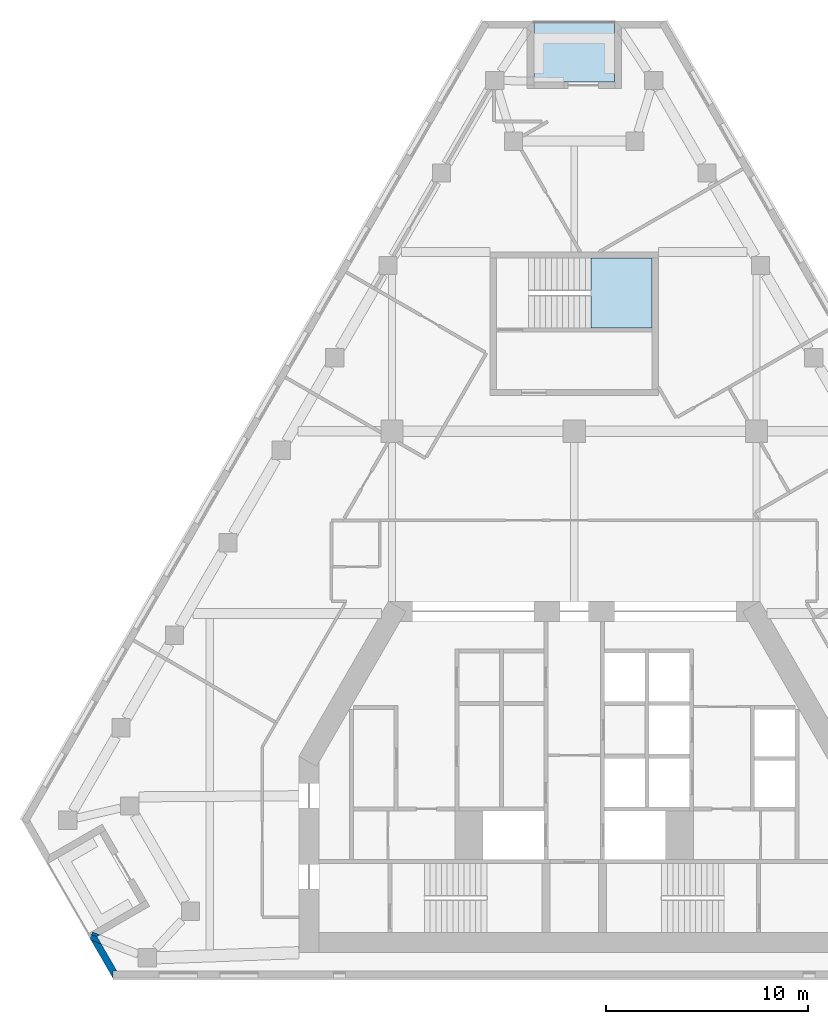
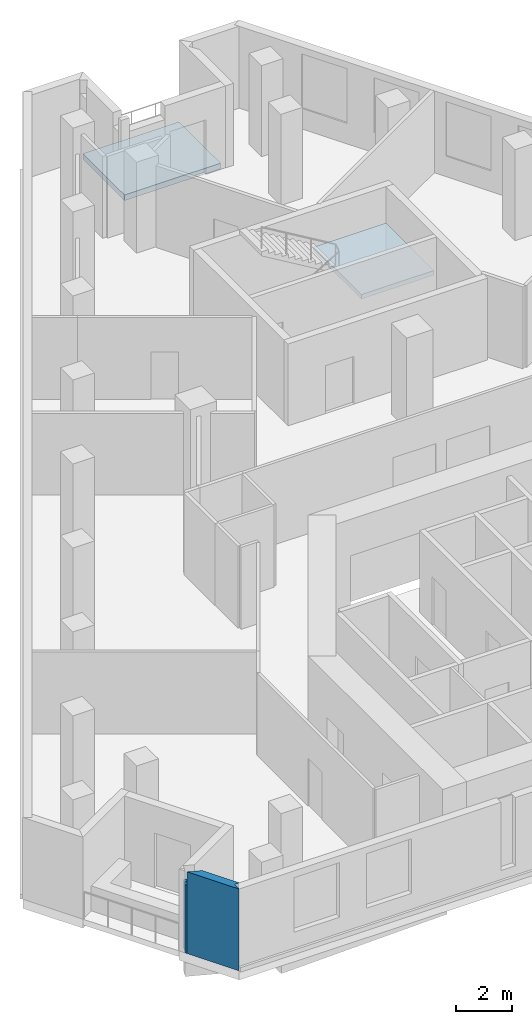
# One storey, part 2 of 9: 3 walls, 2 slabs, 1 element without a shape of its own.
"""IFC4 building model written with IfcOpenShell, lengths in metres."""

from ifc_helpers import new_model, si_unit, direction, frame, origin, place, context, subcontext, project, spatial, polyline, outline, extrude, material, layer, layer_set, type_object, element, aggregate, save


model = new_model("IFC4")

# Units and contexts
model_context = context("Model", 3, precision=1e-05, world=origin(), true_north=direction((0.0, 1.0)))
body_context = subcontext(model_context, "Body", "Model", "MODEL_VIEW")
ifc_project = project(units=[si_unit("LENGTHUNIT", "METRE"), si_unit("AREAUNIT", "SQUARE_METRE"), si_unit("VOLUMEUNIT", "CUBIC_METRE"), si_unit("PLANEANGLEUNIT", "RADIAN"), si_unit("MASSUNIT", "GRAM", prefix="KILO")], contexts=[model_context])

# Site, building, storey
site_placement = place(None, origin())
site = spatial("IfcSite", under=ifc_project, at=site_placement, CompositionType="ELEMENT")
building_placement = place(site_placement, origin())
building = spatial("IfcBuilding", under=site, at=building_placement, Name="Fogline Exchange Tower", CompositionType="ELEMENT")
storey_placement = place(building_placement, frame((0.0, 0.0, 206.10009765625)))
storey = spatial("IfcBuildingStorey", under=building, at=storey_placement, Name="L46", CompositionType="ELEMENT", Elevation=206.10009765625)

# Slab
ifc_material_1 = material(Name="Concrete C40", Category="concrete")
ifc_layer_1 = layer(ifc_material_1, 0.25)
ifc_layer_set_1 = layer_set([ifc_layer_1], Name="DK1")
slab_type_1 = type_object("IfcSlabType", Name="DK1", PredefinedType="FLOOR", material=ifc_layer_set_1)
slab_1_placement = place(storey_placement, frame((0.0, 0.0, -0.25)))
element("IfcSlab", 1, at=slab_1_placement, inside=storey, type_object=slab_type_1, Name="Balcony L46 N", PredefinedType="FLOOR", context=body_context, shape_type="SweptSolid", body=[
    extrude(outline(polyline([(2.0, 47.26171875), (-2.0, 47.26171875), (-2.0, 44.26171875), (2.0, 44.26171875), (2.0, 47.26171875)])), origin(), (0.0, 0.0, 1.0), 0.25),
])

# Stair, slab
stair_type = type_object("IfcStairType", Name="STR24-1667", PredefinedType="HALF_TURN_STAIR", material=ifc_material_1)
stair_placement = place(storey_placement, origin())
stair = element("IfcStair", 2, at=stair_placement, inside=storey, type_object=stair_type, Name="Stair ST3", PredefinedType="HALF_TURN_STAIR")
ifc_layer_2 = layer(ifc_material_1, 0.199951171875)
ifc_layer_set_2 = layer_set([ifc_layer_2], Name="SL200")
slab_type_2 = type_object("IfcSlabType", Name="SL200", PredefinedType="LANDING", material=ifc_layer_set_2)
slab_2_placement = place(storey_placement, frame((0.0, 0.0, 1.7998046875)))
slab_2 = element("IfcSlab", 3, at=slab_2_placement, type_object=slab_type_2, Name="ST3 landing 1", PredefinedType="LANDING", context=body_context, shape_type="SweptSolid", body=[
    extrude(outline(polyline([(0.830078125, 32.10693359375), (3.85009765625, 32.10693359375), (3.85009765625, 35.556884765625), (0.830078125, 35.556884765625), (0.830078125, 32.10693359375)])), origin(), (0.0, 0.0, 1.0), 0.2001953125),
])
aggregate(stair, [slab_2])

# Walls
ifc_material_2 = material(Name="Brick masonry", Category="masonry")
ifc_layer_3 = layer(ifc_material_2, 0.340087890625)
ifc_layer_set_3 = layer_set([ifc_layer_3], Name="FW1")
wall_type = type_object("IfcWallType", Name="FW1", PredefinedType="SOLIDWALL", material=ifc_layer_set_3)
wall_1_placement = place(storey_placement, origin())
element("IfcWall", 4, at=wall_1_placement, inside=storey, type_object=wall_type, Name="Brick wall L46 SW-s2", PredefinedType="SOLIDWALL", context=body_context, shape_type="SweptSolid", body=[
    extrude(outline(polyline([(-23.572021484375, 2.0400390625), (-23.852783203125, 2.115234375), (-23.790771484375, 2.2734375), (-23.419677734375, 2.1279296875), (-23.572021484375, 2.0400390625)])), origin(), (0.0, 0.0, 1.0), 3.0),
])
wall_2_placement = place(storey_placement, origin())
element("IfcWall", 5, at=wall_2_placement, inside=storey, type_object=wall_type, Name="Brick wall L46 SW-c2", PredefinedType="SOLIDWALL", context=body_context, shape_type="SweptSolid", body=[
    extrude(outline(polyline([(-23.915771484375, 1.95458984375), (-23.852294921875, 2.116455078125), (-23.57177734375, 2.041015625), (-23.360107421875, 1.6748046875), (-23.86962890625, 1.87451171875), (-23.915771484375, 1.95458984375)])), origin(), (0.0, 0.0, 1.0), 3.0),
])
wall_3_placement = place(storey_placement, origin())
element("IfcWall", 6, at=wall_3_placement, inside=storey, type_object=wall_type, Name="Brick wall L46 SW-c2", PredefinedType="SOLIDWALL", context=body_context, shape_type="SweptSolid", body=[
    extrude(outline(polyline([(-22.785888671875, 0.33935546875), (-22.785888671875, -0.0009765625), (-22.78662109375, -0.001220703125), (-23.86962890625, 1.87451171875), (-23.360107421875, 1.6748046875), (-22.589111328125, 0.33935546875), (-22.785888671875, 0.33935546875)])), origin(), (0.0, 0.0, 1.0), 3.599853515625),
])

save(model, "model.ifc")
